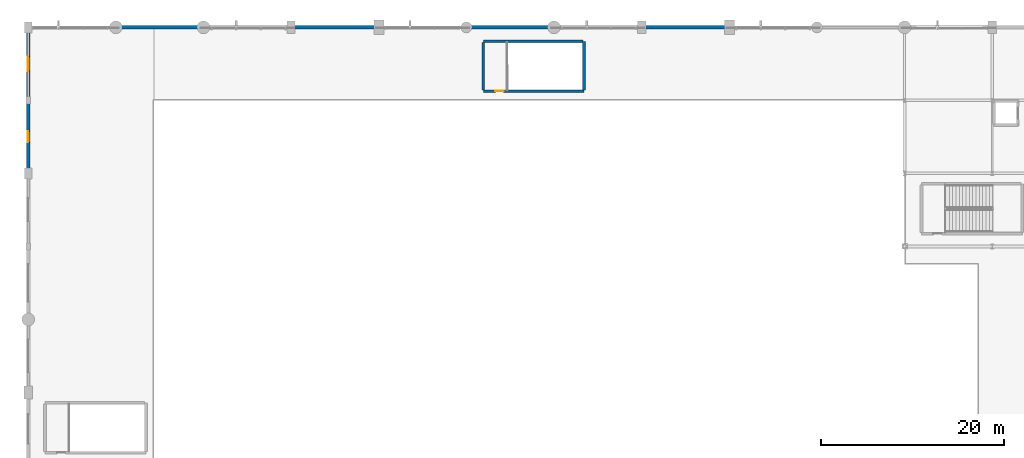
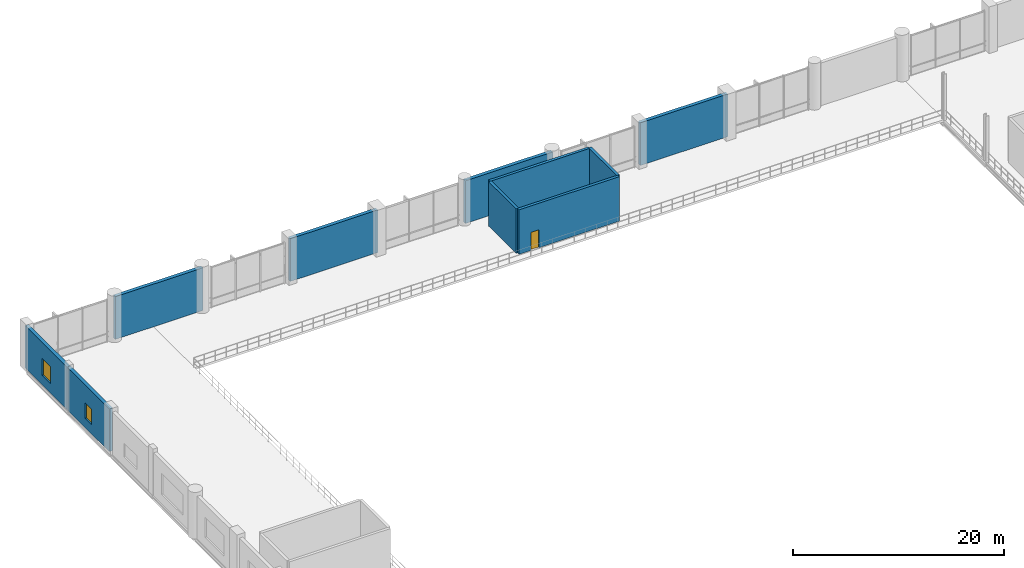
# One storey, part 85 of 129: 10 walls, 2 windows, 1 door, 3 openings.
"""IFC4 building model written with IfcOpenShell, lengths in metres."""

from ifc_helpers import new_model, si_unit, direction, frame, frame_2d, origin, place, context, subcontext, project, spatial, rectangle, extrude, material, layer, layer_set, type_object, element, fill, save


model = new_model("IFC4")

# Units and contexts
model_context = context("Model", 3, precision=1e-05, world=origin(), true_north=direction((0.0, 1.0)))
body_context = subcontext(model_context, "Body", "Model", "MODEL_VIEW")
ifc_project = project(units=[si_unit("LENGTHUNIT", "METRE"), si_unit("AREAUNIT", "SQUARE_METRE"), si_unit("VOLUMEUNIT", "CUBIC_METRE"), si_unit("PLANEANGLEUNIT", "RADIAN"), si_unit("MASSUNIT", "GRAM", prefix="KILO")], contexts=[model_context])

# Site, building, storey
site_placement = place(None, origin())
site = spatial("IfcSite", under=ifc_project, at=site_placement, CompositionType="ELEMENT")
building_placement = place(site_placement, origin())
building = spatial("IfcBuilding", under=site, at=building_placement, Name="Danafjord Basin Convention Centre", CompositionType="ELEMENT")
storey_placement = place(building_placement, frame((0.0, 0.0, 6.0)))
storey = spatial("IfcBuildingStorey", under=building, at=storey_placement, Name="L01", CompositionType="ELEMENT", Elevation=6.0)

# Wall, opening, door
ifc_material_1 = material(Name="Concrete C40/50", Category="concrete")
ifc_layer_1 = layer(ifc_material_1, 0.300048828125)
ifc_layer_set_1 = layer_set([ifc_layer_1], Name="Concrete C40/50")
wall_type_1 = type_object("IfcWallType", Name="WALL-CW-CORE300", PredefinedType="SHEAR", material=ifc_layer_set_1)
wall_1_placement = place(storey_placement, frame((49.85009765625, 137.0, 0.0), z_axis=(0.0, 0.0, 1.0), x_axis=(1.0, 0.0, 0.0)))
wall_1 = element("IfcWall", 1, at=wall_1_placement, inside=storey, type_object=wall_type_1, Name="North Exhibition Perimeter Stair core shear wall (south)", PredefinedType="SHEAR", context=body_context, shape_type="SweptSolid", body=[
    extrude(rectangle(XDim=11.039794921875, YDim=0.300048828125, at=frame_2d((5.52001953125, 0.0))), origin(), (0.0, 0.0, 1.0), 5.155029296875),
])
opening_1_placement = place(wall_1_placement, frame((1.31201171875, 0.0, 0.0)))
opening_1 = element("IfcOpeningElement", 2, at=opening_1_placement, cuts=wall_1, Name="Opening FD-S01", PredefinedType="OPENING", context=body_context, shape_type="SweptSolid", body=[
    extrude(rectangle(XDim=0.909912109375, YDim=2.080078125, at=frame_2d((0.455078125, 1.0400390625))), frame((0.0, 0.159912109375, 0.0), z_axis=(0.0, -1.0, 0.0), x_axis=(1.0, 0.0, 0.0)), (0.0, 0.0, 1.0), 0.320068359375),
])
ifc_material_2 = material(Name="Powder-coated steel and Nordic oak", Category="steel")
door_type = type_object("IfcDoorType", Name="DOOR-FD-S01", OperationType="NOTDEFINED", PredefinedType="DOOR", material=ifc_material_2)
door_placement = place(opening_1_placement, origin())
door = element("IfcDoor", 3, at=door_placement, inside=storey, type_object=door_type, Name="North Exhibition Perimeter Stair L01 Fire Exit Door", OperationType="SINGLE_SWING_LEFT", OverallHeight=2.080078125, OverallWidth=0.909912109375, PredefinedType="DOOR", context=body_context, shape_type="SweptSolid", body=[
    extrude(rectangle(XDim=0.909912109375, YDim=2.080078125, at=frame_2d((0.455078125, 1.0400390625))), frame((0.0, 0.02490234375, 0.0), z_axis=(0.0, -1.0, 0.0), x_axis=(1.0, 0.0, 0.0)), (0.0, 0.0, 1.0), 0.050048828125),
])
fill(opening_1, door)

# Walls
wall_2_placement = place(storey_placement, frame((60.889892578125, 137.135009765625, 0.0), z_axis=(0.0, 0.0, 1.0), x_axis=(0.0, 1.0, 0.0)))
element("IfcWall", 4, at=wall_2_placement, inside=storey, type_object=wall_type_1, Name="North Exhibition Perimeter Stair core shear wall (east)", PredefinedType="SHEAR", context=body_context, shape_type="SweptSolid", body=[
    extrude(rectangle(XDim=5.324951171875, YDim=0.300048828125, at=frame_2d((2.66259765625, 0.0))), origin(), (0.0, 0.0, 1.0), 5.155029296875),
])
wall_3_placement = place(storey_placement, frame((60.7548828125, 142.4599609375, 0.0), z_axis=(0.0, 0.0, 1.0), x_axis=(-1.0, 0.0, 0.0)))
element("IfcWall", 5, at=wall_3_placement, inside=storey, type_object=wall_type_1, Name="North Exhibition Perimeter Stair core shear wall (north)", PredefinedType="SHEAR", context=body_context, shape_type="SweptSolid", body=[
    extrude(rectangle(XDim=10.90478515625, YDim=0.300048828125, at=frame_2d((5.452392578125, 0.0))), origin(), (0.0, 0.0, 1.0), 5.155029296875),
])
wall_4_placement = place(storey_placement, frame((49.85009765625, 142.324951171875, 0.0), z_axis=(0.0, 0.0, 1.0), x_axis=(0.0, -1.0, 0.0)))
element("IfcWall", 6, at=wall_4_placement, inside=storey, type_object=wall_type_1, Name="North Exhibition Perimeter Stair core shear wall (west)", PredefinedType="SHEAR", context=body_context, shape_type="SweptSolid", body=[
    extrude(rectangle(XDim=5.18994140625, YDim=0.300048828125, at=frame_2d((2.594970703125, 0.0))), origin(), (0.0, 0.0, 1.0), 5.155029296875),
])
ifc_material_3 = material(Name="Precast concrete C45/55", Category="concrete")
ifc_layer_2 = layer(ifc_material_3, 0.3798828125)
ifc_layer_set_2 = layer_set([ifc_layer_2], Name="Precast concrete C45/55")
wall_type_2 = type_object("IfcWallType", Name="WALL-EW-PC380", PredefinedType="SOLIDWALL", material=ifc_layer_set_2)
for number, where, z_axis, x_axis, name in (
    (7, (9.60009765625, 144.0, 0.0), (0.0, 0.0, 1.0), (1.0, 0.0, 0.0), "Exhibition hall N upper acoustic precast wall"),
    (8, (28.800048828125, 144.0, 0.0), (0.0, 0.0, 1.0), (1.0, 0.0, 0.0), "Exhibition hall N upper acoustic precast wall"),
):
    element("IfcWall", number, at=place(storey_placement, frame(where, z_axis=z_axis, x_axis=x_axis)), inside=storey, type_object=wall_type_2, Name=name, PredefinedType="SOLIDWALL", context=body_context, shape_type="SweptSolid", body=[
        extrude(rectangle(XDim=9.599853515625, YDim=0.3798828125, at=frame_2d((4.7998046875, 0.0))), origin(), (0.0, 0.0, 1.0), 4.949951171875),
    ])
for number, where, z_axis, x_axis, name in (
    (9, (48.0, 144.0, 0.0), (0.0, 0.0, 1.0), (1.0, 0.0, 0.0), "Exhibition hall N upper acoustic precast wall"),
    (10, (67.199951171875, 144.0, 0.0), (0.0, 0.0, 1.0), (1.0, 0.0, 0.0), "Exhibition hall N upper acoustic precast wall"),
):
    element("IfcWall", number, at=place(storey_placement, frame(where, z_axis=z_axis, x_axis=x_axis)), inside=storey, type_object=wall_type_2, Name=name, PredefinedType="SOLIDWALL", context=body_context, shape_type="SweptSolid", body=[
        extrude(rectangle(XDim=9.60009765625, YDim=0.3798828125, at=frame_2d((4.800048828125, 0.0))), origin(), (0.0, 0.0, 1.0), 4.949951171875),
    ])

# Wall, opening, window
wall_5_placement = place(storey_placement, frame((0.0, 128.0, 0.0), z_axis=(0.0, 0.0, 1.0), x_axis=(0.0, 1.0, 0.0)))
wall_5 = element("IfcWall", 11, at=wall_5_placement, inside=storey, type_object=wall_type_2, Name="Exhibition hall W upper precast wall", PredefinedType="SOLIDWALL", context=body_context, shape_type="SweptSolid", body=[
    extrude(rectangle(XDim=8.0, YDim=0.3798828125, at=frame_2d((4.0, 0.0))), origin(), (0.0, 0.0, 1.0), 4.949951171875),
])
opening_2_placement = place(wall_5_placement, frame((3.39990234375, 0.0, 1.10009765625)))
opening_2 = element("IfcOpeningElement", 12, at=opening_2_placement, cuts=wall_5, Name="Opening WN-01", PredefinedType="OPENING", context=body_context, shape_type="SweptSolid", body=[
    extrude(rectangle(XDim=1.199951171875, YDim=1.800048828125, at=frame_2d((0.60009765625, 0.89990234375))), frame((0.0, 0.199951171875, 0.0), z_axis=(0.0, -1.0, 0.0), x_axis=(1.0, 0.0, 0.0)), (0.0, 0.0, 1.0), 0.39990234375),
])
ifc_material_4 = material(Name="Thermally broken aluminium and triple low-E glass", Category="aluminium")
window_type_1 = type_object("IfcWindowType", Name="WIN-WN-01", PartitioningType="SINGLE_PANEL", PredefinedType="WINDOW", material=ifc_material_4)
window_1_placement = place(opening_2_placement, origin())
window_1 = element("IfcWindow", 13, at=window_1_placement, inside=storey, type_object=window_type_1, Name="L01 hall window WN-01", OverallHeight=1.800048828125, OverallWidth=1.199951171875, PartitioningType="SINGLE_PANEL", PredefinedType="WINDOW", context=body_context, shape_type="SweptSolid", body=[
    extrude(rectangle(XDim=1.199951171875, YDim=1.800048828125, at=frame_2d((0.60009765625, 0.89990234375))), frame((0.0, 0.030029296875, 0.0), z_axis=(0.0, -1.0, 0.0), x_axis=(1.0, 0.0, 0.0)), (0.0, 0.0, 1.0), 0.06005859375),
])
fill(opening_2, window_1)

wall_6_placement = place(storey_placement, frame((0.0, 136.0, 0.0), z_axis=(0.0, 0.0, 1.0), x_axis=(0.0, 1.0, 0.0)))
wall_6 = element("IfcWall", 14, at=wall_6_placement, inside=storey, type_object=wall_type_2, Name="Exhibition hall W upper precast wall", PredefinedType="SOLIDWALL", context=body_context, shape_type="SweptSolid", body=[
    extrude(rectangle(XDim=8.0, YDim=0.3798828125, at=frame_2d((4.0, 0.0))), origin(), (0.0, 0.0, 1.0), 4.949951171875),
])
opening_3_placement = place(wall_6_placement, frame((3.199951171875, 0.0, 1.10009765625)))
opening_3 = element("IfcOpeningElement", 15, at=opening_3_placement, cuts=wall_6, Name="Opening WN-03", PredefinedType="OPENING", context=body_context, shape_type="SweptSolid", body=[
    extrude(rectangle(XDim=1.60009765625, YDim=2.0, at=frame_2d((0.800048828125, 1.0))), frame((0.0, 0.199951171875, 0.0), z_axis=(0.0, -1.0, 0.0), x_axis=(1.0, 0.0, 0.0)), (0.0, 0.0, 1.0), 0.39990234375),
])
window_type_2 = type_object("IfcWindowType", Name="WIN-WN-03", PartitioningType="SINGLE_PANEL", PredefinedType="WINDOW", material=ifc_material_4)
window_2_placement = place(opening_3_placement, origin())
window_2 = element("IfcWindow", 16, at=window_2_placement, inside=storey, type_object=window_type_2, Name="L01 hall window WN-03", OverallHeight=2.0, OverallWidth=1.60009765625, PartitioningType="SINGLE_PANEL", PredefinedType="WINDOW", context=body_context, shape_type="SweptSolid", body=[
    extrude(rectangle(XDim=1.60009765625, YDim=2.0, at=frame_2d((0.800048828125, 1.0))), frame((0.0, 0.030029296875, 0.0), z_axis=(0.0, -1.0, 0.0), x_axis=(1.0, 0.0, 0.0)), (0.0, 0.0, 1.0), 0.06005859375),
])
fill(opening_3, window_2)

save(model, "model.ifc")
